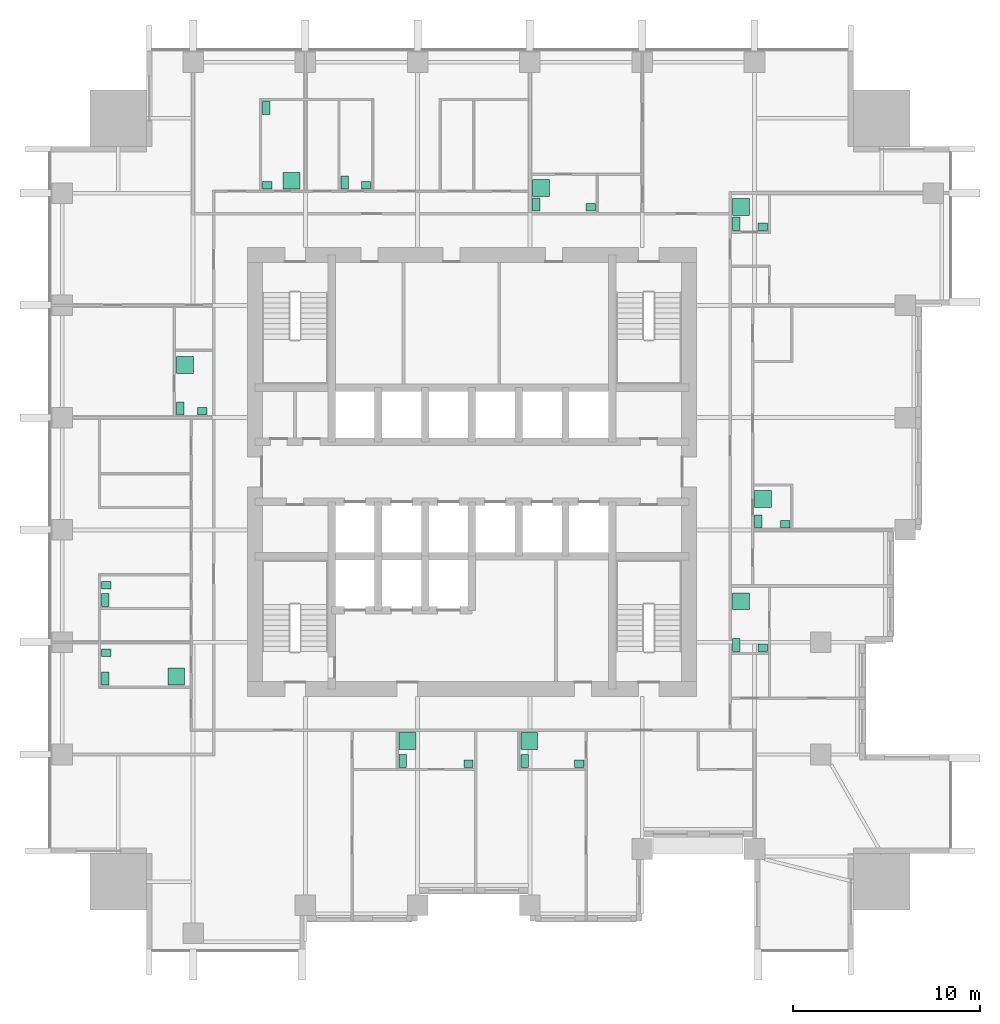
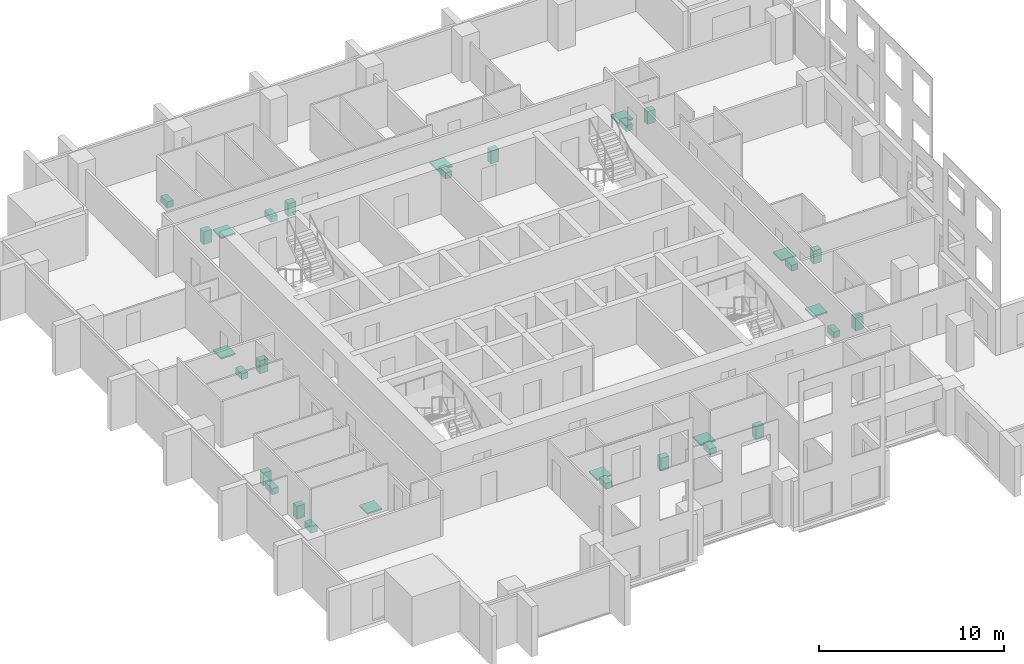
# One storey, part 11 of 11: 31 sanitary terminals.
"""IFC4 building model written with IfcOpenShell, lengths in metres."""

from ifc_helpers import new_model, si_unit, direction, frame, origin, origin_2d, place, context, subcontext, project, spatial, rectangle, extrude, element, save


model = new_model("IFC4")

# Units and contexts
model_context = context("Model", 3, precision=1e-05, world=origin(), true_north=direction((0.0, 1.0)))
body_context = subcontext(model_context, "Body", "Model", "MODEL_VIEW")
ifc_project = project(units=[si_unit("LENGTHUNIT", "METRE"), si_unit("AREAUNIT", "SQUARE_METRE"), si_unit("VOLUMEUNIT", "CUBIC_METRE"), si_unit("PLANEANGLEUNIT", "RADIAN"), si_unit("MASSUNIT", "GRAM", prefix="KILO")], contexts=[model_context])

# Site, building, storey
site_placement = place(None, origin())
site = spatial("IfcSite", under=ifc_project, at=site_placement, CompositionType="ELEMENT")
building_placement = place(site_placement, origin())
building = spatial("IfcBuilding", under=site, at=building_placement, Name="Amberfall Residences", CompositionType="ELEMENT")
storey_placement = place(building_placement, frame((0.0, 0.0, 115.0)))
storey = spatial("IfcBuildingStorey", under=building, at=storey_placement, Name="L31", CompositionType="ELEMENT", Elevation=115.0)

# Sanitary terminals
sanitary_terminal_1_placement = place(storey_placement, frame((70.81005859375, 30.06005859375, 0.0), z_axis=(0.0, 0.0, 1.0), x_axis=(1.0, 0.0, 0.0)))
element("IfcSanitaryTerminal", 1, at=sanitary_terminal_1_placement, inside=storey, Name="Water closet 3101", PredefinedType="TOILETPAN", context=body_context, shape_type="SweptSolid", body=[
    extrude(rectangle(XDim=0.39990234375, YDim=0.699951171875, at=origin_2d()), origin(), (0.0, 0.0, 1.0), 0.39990234375),
])
sanitary_terminal_2_placement = place(storey_placement, frame((74.31494140625, 29.909912109375, 0.0), z_axis=(0.0, 0.0, 1.0), x_axis=(1.0, 0.0, 0.0)))
element("IfcSanitaryTerminal", 2, at=sanitary_terminal_2_placement, inside=storey, Name="Basin 3101", PredefinedType="WASHHANDBASIN", context=body_context, shape_type="SweptSolid", body=[
    extrude(rectangle(XDim=0.5, YDim=0.39990234375, at=origin_2d()), origin(), (0.0, 0.0, 1.0), 0.85009765625),
])
sanitary_terminal_3_placement = place(storey_placement, frame((71.06005859375, 31.114990234375, 0.0), z_axis=(0.0, 0.0, 1.0), x_axis=(1.0, 0.0, 0.0)))
element("IfcSanitaryTerminal", 3, at=sanitary_terminal_3_placement, inside=storey, Name="Shower tray 3101", PredefinedType="SHOWER", context=body_context, shape_type="SweptSolid", body=[
    extrude(rectangle(XDim=0.89990234375, YDim=0.89990234375, at=origin_2d()), origin(), (0.0, 0.0, 1.0), 0.10009765625),
])
sanitary_terminal_4_placement = place(storey_placement, frame((77.31005859375, 30.06005859375, 0.0), z_axis=(0.0, 0.0, 1.0), x_axis=(1.0, 0.0, 0.0)))
element("IfcSanitaryTerminal", 4, at=sanitary_terminal_4_placement, inside=storey, Name="Water closet 3102", PredefinedType="TOILETPAN", context=body_context, shape_type="SweptSolid", body=[
    extrude(rectangle(XDim=0.39990234375, YDim=0.699951171875, at=origin_2d()), origin(), (0.0, 0.0, 1.0), 0.39990234375),
])
sanitary_terminal_5_placement = place(storey_placement, frame((80.239990234375, 29.909912109375, 0.0), z_axis=(0.0, 0.0, 1.0), x_axis=(1.0, 0.0, 0.0)))
element("IfcSanitaryTerminal", 5, at=sanitary_terminal_5_placement, inside=storey, Name="Basin 3102", PredefinedType="WASHHANDBASIN", context=body_context, shape_type="SweptSolid", body=[
    extrude(rectangle(XDim=0.5, YDim=0.39990234375, at=origin_2d()), origin(), (0.0, 0.0, 1.0), 0.85009765625),
])
sanitary_terminal_6_placement = place(storey_placement, frame((77.56005859375, 31.114990234375, 0.0), z_axis=(0.0, 0.0, 1.0), x_axis=(1.0, 0.0, 0.0)))
element("IfcSanitaryTerminal", 6, at=sanitary_terminal_6_placement, inside=storey, Name="Shower tray 3102", PredefinedType="SHOWER", context=body_context, shape_type="SweptSolid", body=[
    extrude(rectangle(XDim=0.89990234375, YDim=0.89990234375, at=origin_2d()), origin(), (0.0, 0.0, 1.0), 0.10009765625),
])
sanitary_terminal_7_placement = place(storey_placement, frame((88.635009765625, 36.260009765625, 0.0), z_axis=(0.0, 0.0, 1.0), x_axis=(1.0, 0.0, 0.0)))
element("IfcSanitaryTerminal", 7, at=sanitary_terminal_7_placement, inside=storey, Name="Water closet 3103", PredefinedType="TOILETPAN", context=body_context, shape_type="SweptSolid", body=[
    extrude(rectangle(XDim=0.39990234375, YDim=0.699951171875, at=origin_2d()), origin(), (0.0, 0.0, 1.0), 0.39990234375),
])
sanitary_terminal_8_placement = place(storey_placement, frame((90.0400390625, 36.110107421875, 0.0), z_axis=(0.0, 0.0, 1.0), x_axis=(1.0, 0.0, 0.0)))
element("IfcSanitaryTerminal", 8, at=sanitary_terminal_8_placement, inside=storey, Name="Basin 3103", PredefinedType="WASHHANDBASIN", context=body_context, shape_type="SweptSolid", body=[
    extrude(rectangle(XDim=0.5, YDim=0.39990234375, at=origin_2d()), origin(), (0.0, 0.0, 1.0), 0.85009765625),
])
sanitary_terminal_9_placement = place(storey_placement, frame((88.885009765625, 38.591796875, 0.0), z_axis=(0.0, 0.0, 1.0), x_axis=(1.0, 0.0, 0.0)))
element("IfcSanitaryTerminal", 9, at=sanitary_terminal_9_placement, inside=storey, Name="Shower tray 3103", PredefinedType="SHOWER", context=body_context, shape_type="SweptSolid", body=[
    extrude(rectangle(XDim=0.89990234375, YDim=0.89990234375, at=origin_2d()), origin(), (0.0, 0.0, 1.0), 0.10009765625),
])
sanitary_terminal_10_placement = place(storey_placement, frame((89.81005859375, 42.860107421875, 0.0), z_axis=(0.0, 0.0, 1.0), x_axis=(1.0, 0.0, 0.0)))
element("IfcSanitaryTerminal", 10, at=sanitary_terminal_10_placement, inside=storey, Name="Water closet 3104", PredefinedType="TOILETPAN", context=body_context, shape_type="SweptSolid", body=[
    extrude(rectangle(XDim=0.39990234375, YDim=0.699951171875, at=origin_2d()), origin(), (0.0, 0.0, 1.0), 0.39990234375),
])
sanitary_terminal_11_placement = place(storey_placement, frame((91.239990234375, 42.7099609375, 0.0), z_axis=(0.0, 0.0, 1.0), x_axis=(1.0, 0.0, 0.0)))
element("IfcSanitaryTerminal", 11, at=sanitary_terminal_11_placement, inside=storey, Name="Basin 3104", PredefinedType="WASHHANDBASIN", context=body_context, shape_type="SweptSolid", body=[
    extrude(rectangle(XDim=0.5, YDim=0.39990234375, at=origin_2d()), origin(), (0.0, 0.0, 1.0), 0.85009765625),
])
sanitary_terminal_12_placement = place(storey_placement, frame((90.06005859375, 44.05712890625, 0.0), z_axis=(0.0, 0.0, 1.0), x_axis=(1.0, 0.0, 0.0)))
element("IfcSanitaryTerminal", 12, at=sanitary_terminal_12_placement, inside=storey, Name="Shower tray 3104", PredefinedType="SHOWER", context=body_context, shape_type="SweptSolid", body=[
    extrude(rectangle(XDim=0.89990234375, YDim=0.89990234375, at=origin_2d()), origin(), (0.0, 0.0, 1.0), 0.10009765625),
])
sanitary_terminal_13_placement = place(storey_placement, frame((88.635009765625, 58.760009765625, 0.0), z_axis=(0.0, 0.0, 1.0), x_axis=(1.0, 0.0, 0.0)))
element("IfcSanitaryTerminal", 13, at=sanitary_terminal_13_placement, inside=storey, Name="Water closet 3105", PredefinedType="TOILETPAN", context=body_context, shape_type="SweptSolid", body=[
    extrude(rectangle(XDim=0.39990234375, YDim=0.699951171875, at=origin_2d()), origin(), (0.0, 0.0, 1.0), 0.39990234375),
])
sanitary_terminal_14_placement = place(storey_placement, frame((90.0400390625, 58.610107421875, 0.0), z_axis=(0.0, 0.0, 1.0), x_axis=(1.0, 0.0, 0.0)))
element("IfcSanitaryTerminal", 14, at=sanitary_terminal_14_placement, inside=storey, Name="Basin 3105", PredefinedType="WASHHANDBASIN", context=body_context, shape_type="SweptSolid", body=[
    extrude(rectangle(XDim=0.5, YDim=0.39990234375, at=origin_2d()), origin(), (0.0, 0.0, 1.0), 0.85009765625),
])
sanitary_terminal_15_placement = place(storey_placement, frame((88.885009765625, 59.65576171875, 0.0), z_axis=(0.0, 0.0, 1.0), x_axis=(1.0, 0.0, 0.0)))
element("IfcSanitaryTerminal", 15, at=sanitary_terminal_15_placement, inside=storey, Name="Shower tray 3105", PredefinedType="SHOWER", context=body_context, shape_type="SweptSolid", body=[
    extrude(rectangle(XDim=0.89990234375, YDim=0.89990234375, at=origin_2d()), origin(), (0.0, 0.0, 1.0), 0.10009765625),
])
sanitary_terminal_16_placement = place(storey_placement, frame((67.7099609375, 60.9599609375, 0.0), z_axis=(0.0, 0.0, 1.0), x_axis=(1.0, 0.0, 0.0)))
element("IfcSanitaryTerminal", 16, at=sanitary_terminal_16_placement, inside=storey, Name="Water closet 3106 1", PredefinedType="TOILETPAN", context=body_context, shape_type="SweptSolid", body=[
    extrude(rectangle(XDim=0.39990234375, YDim=0.699951171875, at=origin_2d()), origin(), (0.0, 0.0, 1.0), 0.39990234375),
])
sanitary_terminal_17_placement = place(storey_placement, frame((68.840087890625, 60.81005859375, 0.0), z_axis=(0.0, 0.0, 1.0), x_axis=(1.0, 0.0, 0.0)))
element("IfcSanitaryTerminal", 17, at=sanitary_terminal_17_placement, inside=storey, Name="Basin 3106 1", PredefinedType="WASHHANDBASIN", context=body_context, shape_type="SweptSolid", body=[
    extrude(rectangle(XDim=0.5, YDim=0.39990234375, at=origin_2d()), origin(), (0.0, 0.0, 1.0), 0.85009765625),
])
sanitary_terminal_18_placement = place(storey_placement, frame((63.510009765625, 64.93994140625, 0.0), z_axis=(0.0, 0.0, 1.0), x_axis=(1.0, 0.0, 0.0)))
element("IfcSanitaryTerminal", 18, at=sanitary_terminal_18_placement, inside=storey, Name="Water closet 3106", PredefinedType="TOILETPAN", context=body_context, shape_type="SweptSolid", body=[
    extrude(rectangle(XDim=0.39990234375, YDim=0.699951171875, at=origin_2d()), origin(), (0.0, 0.0, 1.0), 0.39990234375),
])
sanitary_terminal_19_placement = place(storey_placement, frame((63.56005859375, 60.81005859375, 0.0), z_axis=(0.0, 0.0, 1.0), x_axis=(1.0, 0.0, 0.0)))
element("IfcSanitaryTerminal", 19, at=sanitary_terminal_19_placement, inside=storey, Name="Basin 3106", PredefinedType="WASHHANDBASIN", context=body_context, shape_type="SweptSolid", body=[
    extrude(rectangle(XDim=0.5, YDim=0.39990234375, at=origin_2d()), origin(), (0.0, 0.0, 1.0), 0.85009765625),
])
sanitary_terminal_20_placement = place(storey_placement, frame((64.857177734375, 61.06005859375, 0.0), z_axis=(0.0, 0.0, 1.0), x_axis=(1.0, 0.0, 0.0)))
element("IfcSanitaryTerminal", 20, at=sanitary_terminal_20_placement, inside=storey, Name="Shower tray 3106", PredefinedType="SHOWER", context=body_context, shape_type="SweptSolid", body=[
    extrude(rectangle(XDim=0.89990234375, YDim=0.89990234375, at=origin_2d()), origin(), (0.0, 0.0, 1.0), 0.10009765625),
])
sanitary_terminal_21_placement = place(storey_placement, frame((77.93505859375, 59.784912109375, 0.0), z_axis=(0.0, 0.0, 1.0), x_axis=(1.0, 0.0, 0.0)))
element("IfcSanitaryTerminal", 21, at=sanitary_terminal_21_placement, inside=storey, Name="Water closet 3107", PredefinedType="TOILETPAN", context=body_context, shape_type="SweptSolid", body=[
    extrude(rectangle(XDim=0.39990234375, YDim=0.699951171875, at=origin_2d()), origin(), (0.0, 0.0, 1.0), 0.39990234375),
])
sanitary_terminal_22_placement = place(storey_placement, frame((80.840087890625, 59.635009765625, 0.0), z_axis=(0.0, 0.0, 1.0), x_axis=(1.0, 0.0, 0.0)))
element("IfcSanitaryTerminal", 22, at=sanitary_terminal_22_placement, inside=storey, Name="Basin 3107", PredefinedType="WASHHANDBASIN", context=body_context, shape_type="SweptSolid", body=[
    extrude(rectangle(XDim=0.5, YDim=0.39990234375, at=origin_2d()), origin(), (0.0, 0.0, 1.0), 0.85009765625),
])
sanitary_terminal_23_placement = place(storey_placement, frame((78.18505859375, 60.680908203125, 0.0), z_axis=(0.0, 0.0, 1.0), x_axis=(1.0, 0.0, 0.0)))
element("IfcSanitaryTerminal", 23, at=sanitary_terminal_23_placement, inside=storey, Name="Shower tray 3107", PredefinedType="SHOWER", context=body_context, shape_type="SweptSolid", body=[
    extrude(rectangle(XDim=0.89990234375, YDim=0.89990234375, at=origin_2d()), origin(), (0.0, 0.0, 1.0), 0.10009765625),
])
sanitary_terminal_24_placement = place(storey_placement, frame((54.909912109375, 38.659912109375, 0.0), z_axis=(0.0, 0.0, 1.0), x_axis=(1.0, 0.0, 0.0)))
element("IfcSanitaryTerminal", 24, at=sanitary_terminal_24_placement, inside=storey, Name="Water closet 3108 1", PredefinedType="TOILETPAN", context=body_context, shape_type="SweptSolid", body=[
    extrude(rectangle(XDim=0.39990234375, YDim=0.699951171875, at=origin_2d()), origin(), (0.0, 0.0, 1.0), 0.39990234375),
])
sanitary_terminal_25_placement = place(storey_placement, frame((54.9599609375, 39.4541015625, 0.0), z_axis=(0.0, 0.0, 1.0), x_axis=(1.0, 0.0, 0.0)))
element("IfcSanitaryTerminal", 25, at=sanitary_terminal_25_placement, inside=storey, Name="Basin 3108 1", PredefinedType="WASHHANDBASIN", context=body_context, shape_type="SweptSolid", body=[
    extrude(rectangle(XDim=0.5, YDim=0.39990234375, at=origin_2d()), origin(), (0.0, 0.0, 1.0), 0.85009765625),
])
sanitary_terminal_26_placement = place(storey_placement, frame((54.909912109375, 34.4599609375, 0.0), z_axis=(0.0, 0.0, 1.0), x_axis=(1.0, 0.0, 0.0)))
element("IfcSanitaryTerminal", 26, at=sanitary_terminal_26_placement, inside=storey, Name="Water closet 3108", PredefinedType="TOILETPAN", context=body_context, shape_type="SweptSolid", body=[
    extrude(rectangle(XDim=0.39990234375, YDim=0.699951171875, at=origin_2d()), origin(), (0.0, 0.0, 1.0), 0.39990234375),
])
sanitary_terminal_27_placement = place(storey_placement, frame((54.9599609375, 35.835693359375, 0.0), z_axis=(0.0, 0.0, 1.0), x_axis=(1.0, 0.0, 0.0)))
element("IfcSanitaryTerminal", 27, at=sanitary_terminal_27_placement, inside=storey, Name="Basin 3108", PredefinedType="WASHHANDBASIN", context=body_context, shape_type="SweptSolid", body=[
    extrude(rectangle(XDim=0.5, YDim=0.39990234375, at=origin_2d()), origin(), (0.0, 0.0, 1.0), 0.85009765625),
])
sanitary_terminal_28_placement = place(storey_placement, frame((58.703857421875, 34.56005859375, 0.0), z_axis=(0.0, 0.0, 1.0), x_axis=(1.0, 0.0, 0.0)))
element("IfcSanitaryTerminal", 28, at=sanitary_terminal_28_placement, inside=storey, Name="Shower tray 3108", PredefinedType="SHOWER", context=body_context, shape_type="SweptSolid", body=[
    extrude(rectangle(XDim=0.89990234375, YDim=0.89990234375, at=origin_2d()), origin(), (0.0, 0.0, 1.0), 0.10009765625),
])
sanitary_terminal_29_placement = place(storey_placement, frame((58.909912109375, 48.885009765625, 0.0), z_axis=(0.0, 0.0, 1.0), x_axis=(1.0, 0.0, 0.0)))
element("IfcSanitaryTerminal", 29, at=sanitary_terminal_29_placement, inside=storey, Name="Water closet 3109", PredefinedType="TOILETPAN", context=body_context, shape_type="SweptSolid", body=[
    extrude(rectangle(XDim=0.39990234375, YDim=0.699951171875, at=origin_2d()), origin(), (0.0, 0.0, 1.0), 0.39990234375),
])
sanitary_terminal_30_placement = place(storey_placement, frame((60.089111328125, 48.735107421875, 0.0), z_axis=(0.0, 0.0, 1.0), x_axis=(1.0, 0.0, 0.0)))
element("IfcSanitaryTerminal", 30, at=sanitary_terminal_30_placement, inside=storey, Name="Basin 3109", PredefinedType="WASHHANDBASIN", context=body_context, shape_type="SweptSolid", body=[
    extrude(rectangle(XDim=0.5, YDim=0.39990234375, at=origin_2d()), origin(), (0.0, 0.0, 1.0), 0.85009765625),
])
sanitary_terminal_31_placement = place(storey_placement, frame((59.159912109375, 51.216796875, 0.0), z_axis=(0.0, 0.0, 1.0), x_axis=(1.0, 0.0, 0.0)))
element("IfcSanitaryTerminal", 31, at=sanitary_terminal_31_placement, inside=storey, Name="Shower tray 3109", PredefinedType="SHOWER", context=body_context, shape_type="SweptSolid", body=[
    extrude(rectangle(XDim=0.89990234375, YDim=0.89990234375, at=origin_2d()), origin(), (0.0, 0.0, 1.0), 0.10009765625),
])

save(model, "model.ifc")
